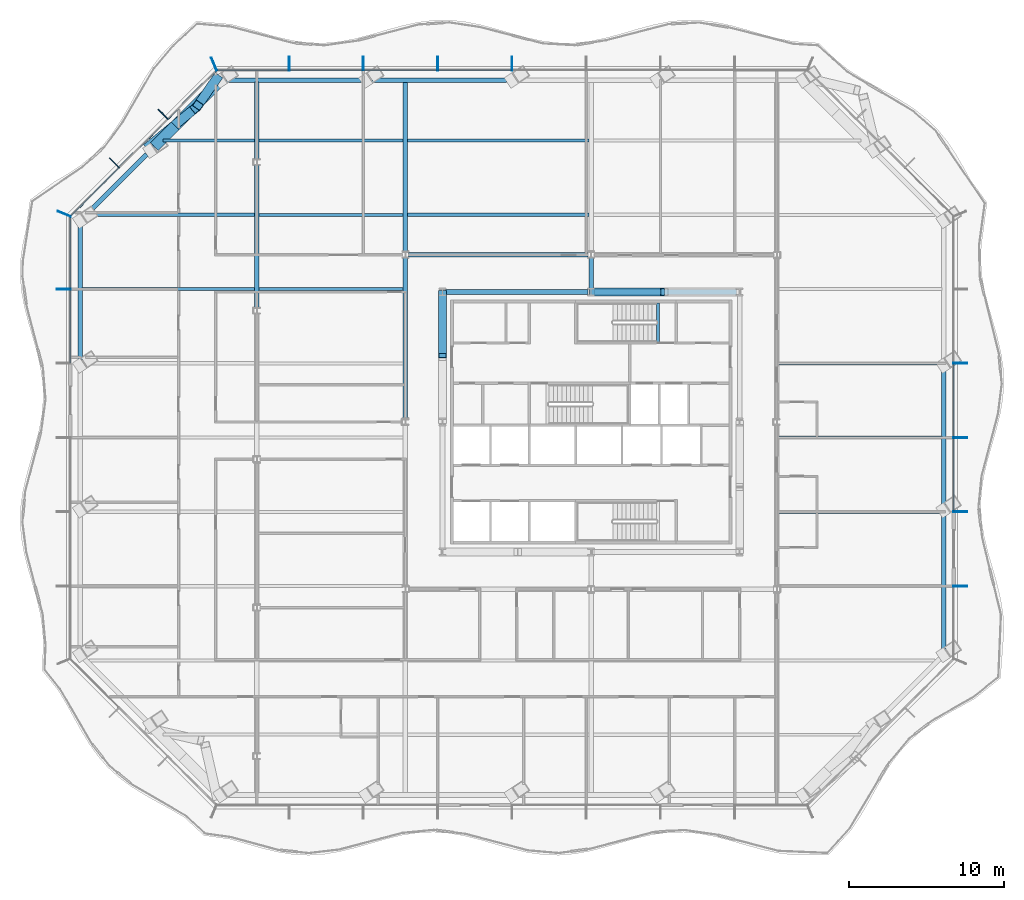
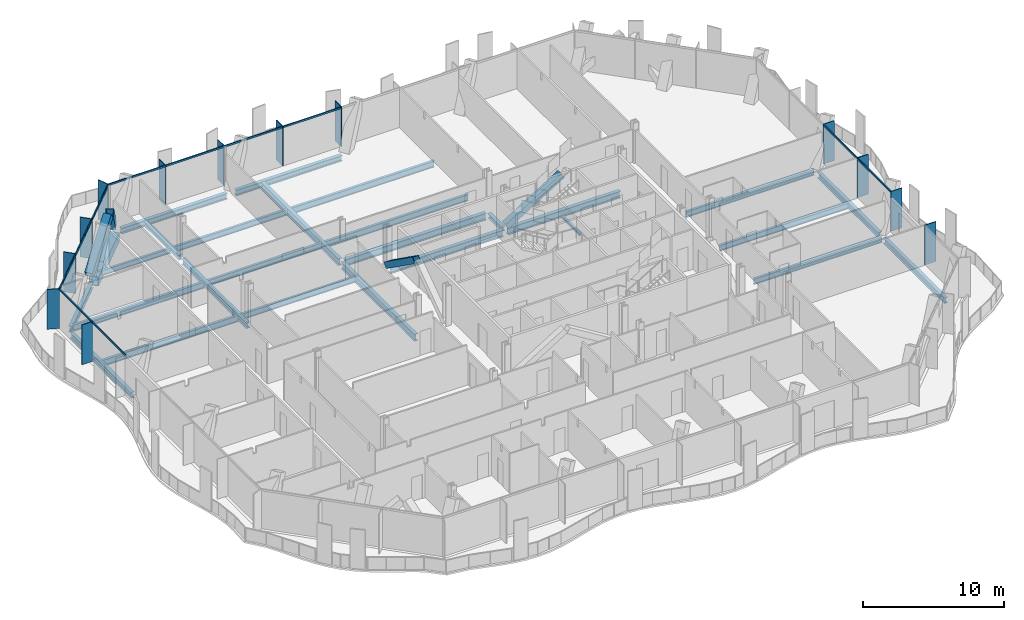
# One storey, part 3 of 19: 28 beams, 28 members, 4 elements without a shape of their own.
"""IFC4 building model written with IfcOpenShell, lengths in metres."""

from ifc_helpers import new_model, si_unit, direction, frame, origin, origin_2d, place, context, subcontext, project, spatial, rectangle, hollow_rectangle, i_section, extrude, material, material_profile, profile_set, type_object, element, aggregate, save


model = new_model("IFC4")

# Units and contexts
model_context = context("Model", 3, precision=1e-05, world=origin(), true_north=direction((0.0, 1.0)))
body_context = subcontext(model_context, "Body", "Model", "MODEL_VIEW")
ifc_project = project(units=[si_unit("LENGTHUNIT", "METRE"), si_unit("AREAUNIT", "SQUARE_METRE"), si_unit("VOLUMEUNIT", "CUBIC_METRE"), si_unit("PLANEANGLEUNIT", "RADIAN"), si_unit("MASSUNIT", "GRAM", prefix="KILO")], contexts=[model_context])

# Site, building, storey
site_placement = place(None, origin())
site = spatial("IfcSite", under=ifc_project, at=site_placement, CompositionType="ELEMENT")
building_placement = place(site_placement, origin())
building = spatial("IfcBuilding", under=site, at=building_placement, Name="Cairn Pilgrim Tower", CompositionType="ELEMENT")
storey_placement = place(building_placement, frame((0.0, 0.0, 97.800048828125)))
storey = spatial("IfcBuildingStorey", under=building, at=storey_placement, Name="L23", CompositionType="ELEMENT", Elevation=97.800048828125)

# Members
ifc_material_1 = material(Name="Structural steel S460M", Category="steel")
ifc_material_profile_1 = material_profile(ifc_material_1, hollow_rectangle(XDim=0.5, YDim=0.5, WallThickness=0.030029296875, at=origin_2d()), Name="BOX 500x500x30")
ifc_profile_set_1 = profile_set([ifc_material_profile_1], Name="Structural steel S460M")
member_type_1 = type_object("IfcMemberType", Name="BOX 500x500x30 BRACE", PredefinedType="BRACE", material=ifc_profile_set_1)
member_1_placement = place(storey_placement, frame((7.24365234375, 10.800048828125, 0.099853515625), z_axis=(0.851007515624, 0.0, 0.525153509321), x_axis=(0.0, 1.0, 0.0)))
element("IfcMember", 1, at=member_1_placement, inside=storey, type_object=member_type_1, Name="KB-3B", PredefinedType="BRACE", context=body_context, shape_type="SweptSolid", body=[
    extrude(hollow_rectangle(XDim=0.5, YDim=0.5, WallThickness=0.030029296875, at=origin_2d()), origin(), (0.0, 0.0, 1.0), 5.37646484375),
])
member_2_placement = place(storey_placement, frame((-2.39990234375, 10.75634765625, 0.099853515625), z_axis=(0.0, -0.814175628242, 0.580618675532), x_axis=(1.0, 0.0, 0.0)))
element("IfcMember", 2, at=member_2_placement, inside=storey, type_object=member_type_1, Name="KB-4A", PredefinedType="BRACE", context=body_context, shape_type="SweptSolid", body=[
    extrude(hollow_rectangle(XDim=0.5, YDim=0.5, WallThickness=0.030029296875, at=origin_2d()), origin(), (0.0, 0.0, 1.0), 4.99658203125),
])
ifc_material_profile_2 = material_profile(ifc_material_1, hollow_rectangle(XDim=0.60009765625, YDim=0.60009765625, WallThickness=0.034912109375, at=origin_2d()), Name="BOX 600x600x35")
ifc_profile_set_2 = profile_set([ifc_material_profile_2], Name="Structural steel S460M")
member_type_2 = type_object("IfcMemberType", Name="BOX 600x600x35 BRACE", PredefinedType="BRACE", material=ifc_profile_set_2)
member_3_placement = place(storey_placement, frame((-16.984130859375, 24.622314453125, 0.14990234375), z_axis=(-0.361757337028, -0.518148038838, 0.775018863612), x_axis=(0.819934799955, -0.572456918748, 0.0)))
element("IfcMember", 3, at=member_3_placement, inside=storey, type_object=member_type_2, Name="XB-NW1-NW2-1", PredefinedType="BRACE", context=body_context, shape_type="SweptSolid", body=[
    extrude(hollow_rectangle(XDim=0.60009765625, YDim=0.60009765625, WallThickness=0.034912109375, at=origin_2d()), origin(), (0.0, 0.0, 1.0), 3.3798828125),
])
member_4_placement = place(storey_placement, frame((-21.407470703125, 20.198974609375, 0.14990234375), z_axis=(0.638261396747, 0.524567475079, 0.563428215048), x_axis=(-0.634942729347, 0.772559208378, 0.0)))
element("IfcMember", 4, at=member_4_placement, inside=storey, type_object=member_type_2, Name="XB-NW1-NW2-2", PredefinedType="BRACE", context=body_context, shape_type="SweptSolid", body=[
    extrude(hollow_rectangle(XDim=0.60009765625, YDim=0.60009765625, WallThickness=0.034912109375, at=origin_2d()), origin(), (0.0, 0.0, 1.0), 4.64892578125),
])

# Beams
ifc_material_2 = material(Name="Structural steel S355J2", Category="steel")
ifc_material_profile_3 = material_profile(ifc_material_2, hollow_rectangle(XDim=0.699951171875, YDim=0.800048828125, WallThickness=0.0400390625, at=origin_2d()), Name="BOX 700x800x40")
ifc_profile_set_3 = profile_set([ifc_material_profile_3], Name="Structural steel S355J2")
beam_type_1 = type_object("IfcBeamType", Name="BOX 700x800x40 RING GIRDER", PredefinedType="SPANDREL", material=ifc_profile_set_3)
beam_1_placement = place(storey_placement, frame((-16.99462890625, 24.23681640625, -0.550048828125), z_axis=(-0.707106781187, -0.707106781187, 0.0), x_axis=(0.707106781187, -0.707106781187, 0.0)))
element("IfcBeam", 5, at=beam_1_placement, inside=storey, type_object=beam_type_1, Name="RG1-NW1-NW2-1", PredefinedType="SPANDREL", context=body_context, shape_type="SweptSolid", body=[
    extrude(hollow_rectangle(XDim=0.699951171875, YDim=0.800048828125, WallThickness=0.0400390625, at=origin_2d()), origin(), (0.0, 0.0, 1.0), 3.81005859375),
])
beam_2_placement = place(storey_placement, frame((-19.688720703125, 21.542724609375, -0.550048828125), z_axis=(-0.707106781187, -0.707106781187, 0.0), x_axis=(0.707106781187, -0.707106781187, 0.0)))
element("IfcBeam", 6, at=beam_2_placement, inside=storey, type_object=beam_type_1, Name="RG1-NW1-NW2-2", PredefinedType="SPANDREL", context=body_context, shape_type="SweptSolid", body=[
    extrude(hollow_rectangle(XDim=0.699951171875, YDim=0.800048828125, WallThickness=0.0400390625, at=origin_2d()), origin(), (0.0, 0.0, 1.0), 1.885498046875),
])

# Curtain wall, members
ifc_material_3 = material(Name="Aluminium alloy 6063-T6 bronze anodised with Bronze tinted laminated low-E glass 8+16+8.8", Category="aluminium")
curtain_wall_type_1 = type_object("IfcCurtainWallType", Name="TOWER STICK CURTAIN WALL EW", PredefinedType="NOTDEFINED", material=ifc_material_3)
curtain_wall_1_placement = place(storey_placement, origin())
curtain_wall_1 = element("IfcCurtainWall", 7, at=curtain_wall_1_placement, inside=storey, type_object=curtain_wall_type_1, Name="Tower Stick Curtain Wall Ew E", PredefinedType="NOTDEFINED")
ifc_material_4 = material(Name="Aluminium alloy 6063-T6 bronze anodised", Category="aluminium")
ifc_material_profile_4 = material_profile(ifc_material_4, rectangle(XDim=0.89990234375, YDim=0.06005859375, at=origin_2d()), Name="FIN MULLION 60x900 BRONZE")
ifc_profile_set_4 = profile_set([ifc_material_profile_4], Name="Aluminium alloy 6063-T6 bronze anodised")
member_type_3 = type_object("IfcMemberType", Name="FIN MULLION 60x900 BRONZE", PredefinedType="MULLION", material=ifc_profile_set_4)
member_5_placement = place(storey_placement, frame((31.05712890625, -8.208740234375, 0.0), z_axis=(0.0, 0.0, 1.0), x_axis=(1.0, 0.0, 0.0)))
member_5 = element("IfcMember", 8, at=member_5_placement, type_object=member_type_3, Name="Fin mullion E2", PredefinedType="MULLION", context=body_context, shape_type="SweptSolid", body=[
    extrude(rectangle(XDim=0.89990234375, YDim=0.06005859375, at=origin_2d()), origin(), (0.0, 0.0, 1.0), 3.449951171875),
])
member_6_placement = place(storey_placement, frame((31.05712890625, -3.40869140625, 0.0), z_axis=(0.0, 0.0, 1.0), x_axis=(1.0, 0.0, 0.0)))
member_6 = element("IfcMember", 9, at=member_6_placement, type_object=member_type_3, Name="Fin mullion E3", PredefinedType="MULLION", context=body_context, shape_type="SweptSolid", body=[
    extrude(rectangle(XDim=0.89990234375, YDim=0.06005859375, at=origin_2d()), origin(), (0.0, 0.0, 1.0), 3.449951171875),
])
member_7_placement = place(storey_placement, frame((31.05712890625, 1.391357421875, 0.0), z_axis=(0.0, 0.0, 1.0), x_axis=(1.0, 0.0, 0.0)))
member_7 = element("IfcMember", 10, at=member_7_placement, type_object=member_type_3, Name="Fin mullion E4", PredefinedType="MULLION", context=body_context, shape_type="SweptSolid", body=[
    extrude(rectangle(XDim=0.89990234375, YDim=0.06005859375, at=origin_2d()), origin(), (0.0, 0.0, 1.0), 3.449951171875),
])
member_8_placement = place(storey_placement, frame((31.05712890625, 6.19140625, 0.0), z_axis=(0.0, 0.0, 1.0), x_axis=(1.0, 0.0, 0.0)))
member_8 = element("IfcMember", 11, at=member_8_placement, type_object=member_type_3, Name="Fin mullion E5", PredefinedType="MULLION", context=body_context, shape_type="SweptSolid", body=[
    extrude(rectangle(XDim=0.89990234375, YDim=0.06005859375, at=origin_2d()), origin(), (0.0, 0.0, 1.0), 3.449951171875),
])

curtain_wall_type_2 = type_object("IfcCurtainWallType", Name="TOWER STICK CURTAIN WALL NS", PredefinedType="NOTDEFINED", material=ifc_material_3)
curtain_wall_2_placement = place(storey_placement, origin())
curtain_wall_2 = element("IfcCurtainWall", 12, at=curtain_wall_2_placement, inside=storey, type_object=curtain_wall_type_2, Name="Tower Stick Curtain Wall Ns N", PredefinedType="NOTDEFINED")
member_9_placement = place(storey_placement, frame((2.087158203125, 25.561279296875, 0.0), z_axis=(0.0, 0.0, 1.0), x_axis=(0.0, 1.0, 0.0)))
member_9 = element("IfcMember", 13, at=member_9_placement, type_object=member_type_3, Name="Fin mullion N5", PredefinedType="MULLION", context=body_context, shape_type="SweptSolid", body=[
    extrude(rectangle(XDim=0.89990234375, YDim=0.06005859375, at=origin_2d()), origin(), (0.0, 0.0, 1.0), 3.449951171875),
])
member_10_placement = place(storey_placement, frame((-2.712890625, 25.561279296875, 0.0), z_axis=(0.0, 0.0, 1.0), x_axis=(0.0, 1.0, 0.0)))
member_10 = element("IfcMember", 14, at=member_10_placement, type_object=member_type_3, Name="Fin mullion N6", PredefinedType="MULLION", context=body_context, shape_type="SweptSolid", body=[
    extrude(rectangle(XDim=0.89990234375, YDim=0.06005859375, at=origin_2d()), origin(), (0.0, 0.0, 1.0), 3.449951171875),
])
member_11_placement = place(storey_placement, frame((-7.512939453125, 25.561279296875, 0.0), z_axis=(0.0, 0.0, 1.0), x_axis=(0.0, 1.0, 0.0)))
member_11 = element("IfcMember", 15, at=member_11_placement, type_object=member_type_3, Name="Fin mullion N7", PredefinedType="MULLION", context=body_context, shape_type="SweptSolid", body=[
    extrude(rectangle(XDim=0.89990234375, YDim=0.06005859375, at=origin_2d()), origin(), (0.0, 0.0, 1.0), 3.449951171875),
])
member_12_placement = place(storey_placement, frame((-12.31298828125, 25.561279296875, 0.0), z_axis=(0.0, 0.0, 1.0), x_axis=(0.0, 1.0, 0.0)))
member_12 = element("IfcMember", 16, at=member_12_placement, type_object=member_type_3, Name="Fin mullion N8", PredefinedType="MULLION", context=body_context, shape_type="SweptSolid", body=[
    extrude(rectangle(XDim=0.89990234375, YDim=0.06005859375, at=origin_2d()), origin(), (0.0, 0.0, 1.0), 3.449951171875),
])

curtain_wall_type_3 = type_object("IfcCurtainWallType", Name="CHAMFER CORNER CURTAIN WALL", PredefinedType="NOTDEFINED", material=ifc_material_3)
curtain_wall_3_placement = place(storey_placement, origin())
curtain_wall_3 = element("IfcCurtainWall", 17, at=curtain_wall_3_placement, inside=storey, type_object=curtain_wall_type_3, Name="Chamfer Corner Curtain Wall NW", PredefinedType="NOTDEFINED")
member_13_placement = place(storey_placement, frame((-17.170166015625, 25.529296875, 0.0), z_axis=(0.0, 0.0, 1.0), x_axis=(-0.382683432365, 0.923879532511, 0.0)))
member_13 = element("IfcMember", 18, at=member_13_placement, type_object=member_type_3, Name="Fin mullion NW1", PredefinedType="MULLION", context=body_context, shape_type="SweptSolid", body=[
    extrude(rectangle(XDim=0.89990234375, YDim=0.06005859375, at=origin_2d()), origin(), (0.0, 0.0, 1.0), 3.449951171875),
])
member_14_placement = place(storey_placement, frame((-20.45751953125, 22.287109375, 0.0), z_axis=(0.0, 0.0, 1.0), x_axis=(-0.707106781187, 0.707106781187, 0.0)))
member_14 = element("IfcMember", 19, at=member_14_placement, type_object=member_type_3, Name="Fin mullion NW2", PredefinedType="MULLION", context=body_context, shape_type="SweptSolid", body=[
    extrude(rectangle(XDim=0.89990234375, YDim=0.06005859375, at=origin_2d()), origin(), (0.0, 0.0, 1.0), 3.449951171875),
])
member_15_placement = place(storey_placement, frame((-23.608642578125, 19.135986328125, 0.0), z_axis=(0.0, 0.0, 1.0), x_axis=(-0.707106781187, 0.707106781187, 0.0)))
member_15 = element("IfcMember", 20, at=member_15_placement, type_object=member_type_3, Name="Fin mullion NW3", PredefinedType="MULLION", context=body_context, shape_type="SweptSolid", body=[
    extrude(rectangle(XDim=0.89990234375, YDim=0.06005859375, at=origin_2d()), origin(), (0.0, 0.0, 1.0), 3.449951171875),
])

curtain_wall_4_placement = place(storey_placement, origin())
curtain_wall_4 = element("IfcCurtainWall", 21, at=curtain_wall_4_placement, inside=storey, type_object=curtain_wall_type_1, Name="Tower Stick Curtain Wall Ew W", PredefinedType="NOTDEFINED")
member_16_placement = place(storey_placement, frame((-26.85107421875, 15.8486328125, 0.0), z_axis=(0.0, 0.0, 1.0), x_axis=(-0.923879532511, 0.382683432365, 0.0)))
member_16 = element("IfcMember", 22, at=member_16_placement, type_object=member_type_3, Name="Fin mullion W1", PredefinedType="MULLION", context=body_context, shape_type="SweptSolid", body=[
    extrude(rectangle(XDim=0.89990234375, YDim=0.06005859375, at=origin_2d()), origin(), (0.0, 0.0, 1.0), 3.449951171875),
])
member_17_placement = place(storey_placement, frame((-26.8828125, 10.991455078125, 0.0), z_axis=(0.0, 0.0, 1.0), x_axis=(-1.0, 0.0, 0.0)))
member_17 = element("IfcMember", 23, at=member_17_placement, type_object=member_type_3, Name="Fin mullion W2", PredefinedType="MULLION", context=body_context, shape_type="SweptSolid", body=[
    extrude(rectangle(XDim=0.89990234375, YDim=0.06005859375, at=origin_2d()), origin(), (0.0, 0.0, 1.0), 3.449951171875),
])

# Beams
ifc_material_profile_5 = material_profile(ifc_material_2, i_section(OverallWidth=0.300048828125, OverallDepth=0.39990234375, WebThickness=0.013427734375, FlangeThickness=0.02392578125, FilletRadius=0.027099609375, at=origin_2d()), Name="HEB 400")
ifc_profile_set_5 = profile_set([ifc_material_profile_5], Name="Structural steel S355J2")
beam_type_2 = type_object("IfcBeamType", Name="HEB 400 GIRDER", PredefinedType="BEAM", material=ifc_profile_set_5)
beam_3_placement = place(storey_placement, frame((-14.39990234375, 19.404541015625, -0.35009765625), z_axis=(0.0, 1.0, 0.0), x_axis=(-1.0, 0.0, 0.0)))
element("IfcBeam", 24, at=beam_3_placement, inside=storey, type_object=beam_type_2, Name="PG1-5", PredefinedType="BEAM", context=body_context, shape_type="SweptSolid", body=[
    extrude(i_section(OverallWidth=0.300048828125, OverallDepth=0.39990234375, WebThickness=0.013427734375, FlangeThickness=0.02392578125, FilletRadius=0.027099609375, at=origin_2d()), origin(), (0.0, 0.0, 1.0), 4.966796875),
])
beam_4_placement = place(storey_placement, frame((7.199951171875, 11.0185546875, -0.35009765625), z_axis=(0.0, 1.0, 0.0), x_axis=(-1.0, 0.0, 0.0)))
element("IfcBeam", 25, at=beam_4_placement, inside=storey, type_object=beam_type_2, Name="PG3-E2", PredefinedType="BEAM", context=body_context, shape_type="SweptSolid", body=[
    extrude(i_section(OverallWidth=0.300048828125, OverallDepth=0.39990234375, WebThickness=0.013427734375, FlangeThickness=0.02392578125, FilletRadius=0.027099609375, at=origin_2d()), origin(), (0.0, 0.0, 1.0), 1.97705078125),
])
ifc_material_profile_6 = material_profile(ifc_material_2, i_section(OverallWidth=0.300048828125, OverallDepth=0.5, WebThickness=0.014404296875, FlangeThickness=0.028076171875, FilletRadius=0.027099609375, at=origin_2d()), Name="HEB 500")
ifc_profile_set_6 = profile_set([ifc_material_profile_6], Name="Structural steel S355J2")
beam_type_3 = type_object("IfcBeamType", Name="HEB 500 GIRDER", PredefinedType="BEAM", material=ifc_profile_set_6)
beam_5_placement = place(storey_placement, frame((-14.39990234375, 9.804443359375, -0.400146484375), z_axis=(0.0, 1.0, 0.0), x_axis=(-1.0, 0.0, 0.0)))
element("IfcBeam", 26, at=beam_5_placement, inside=storey, type_object=beam_type_3, Name="PG1-4", PredefinedType="BEAM", context=body_context, shape_type="SweptSolid", body=[
    extrude(i_section(OverallWidth=0.300048828125, OverallDepth=0.5, WebThickness=0.014404296875, FlangeThickness=0.028076171875, FilletRadius=0.027099609375, at=origin_2d()), origin(), (0.0, 0.0, 1.0), 9.191162109375),
])
ifc_material_profile_7 = material_profile(ifc_material_2, i_section(OverallWidth=0.300048828125, OverallDepth=0.5, WebThickness=0.014404296875, FlangeThickness=0.028076171875, FilletRadius=0.027099609375, at=origin_2d()), Name="HEB 500")
ifc_profile_set_7 = profile_set([ifc_material_profile_7], Name="Structural steel S355J2")
beam_type_4 = type_object("IfcBeamType", Name="HEB 500 RING GIRDER", PredefinedType="SPANDREL", material=ifc_profile_set_7)
beam_6_placement = place(storey_placement, frame((29.987060546875, -12.27587890625, -0.400146484375), z_axis=(0.0, 1.0, 0.0), x_axis=(-1.0, 0.0, 0.0)))
element("IfcBeam", 27, at=beam_6_placement, inside=storey, type_object=beam_type_4, Name="RG1-E1-E2", PredefinedType="SPANDREL", context=body_context, shape_type="SweptSolid", body=[
    extrude(i_section(OverallWidth=0.300048828125, OverallDepth=0.5, WebThickness=0.014404296875, FlangeThickness=0.028076171875, FilletRadius=0.027099609375, at=origin_2d()), origin(), (0.0, 0.0, 1.0), 8.631591796875),
])
beam_7_placement = place(storey_placement, frame((29.987060546875, -2.92431640625, -0.400146484375), z_axis=(0.0, 1.0, 0.0), x_axis=(-1.0, 0.0, 0.0)))
element("IfcBeam", 28, at=beam_7_placement, inside=storey, type_object=beam_type_4, Name="RG1-E2-E3", PredefinedType="SPANDREL", context=body_context, shape_type="SweptSolid", body=[
    extrude(i_section(OverallWidth=0.300048828125, OverallDepth=0.5, WebThickness=0.014404296875, FlangeThickness=0.028076171875, FilletRadius=0.027099609375, at=origin_2d()), origin(), (0.0, 0.0, 1.0), 8.63134765625),
])
for number, where, z_axis, x_axis, name in (
    (29, (1.72705078125, 24.491455078125, -0.400146484375), (-1.0, 0.0, 0.0), (0.0, -1.0, 0.0), "RG1-N3-N4"),
    (30, (-7.6865234375, 24.491455078125, -0.400146484375), (-1.0, 0.0, 0.0), (0.0, -1.0, 0.0), "RG1-N4-NW1"),
):
    element("IfcBeam", number, at=place(storey_placement, frame(where, z_axis=z_axis, x_axis=x_axis)), inside=storey, type_object=beam_type_4, Name=name, PredefinedType="SPANDREL", context=body_context, shape_type="SweptSolid", body=[
        extrude(i_section(OverallWidth=0.300048828125, OverallDepth=0.5, WebThickness=0.014404296875, FlangeThickness=0.028076171875, FilletRadius=0.027099609375, at=origin_2d()), origin(), (0.0, 0.0, 1.0), 8.693603515625),
    ])
beam_8_placement = place(storey_placement, frame((-21.531005859375, 19.700439453125, -0.400146484375), z_axis=(-0.707106781187, -0.707106781187, 0.0), x_axis=(0.707106781187, -0.707106781187, 0.0)))
element("IfcBeam", 31, at=beam_8_placement, inside=storey, type_object=beam_type_4, Name="RG1-NW2-W1", PredefinedType="SPANDREL", context=body_context, shape_type="SweptSolid", body=[
    extrude(i_section(OverallWidth=0.300048828125, OverallDepth=0.5, WebThickness=0.014404296875, FlangeThickness=0.028076171875, FilletRadius=0.027099609375, at=origin_2d()), origin(), (0.0, 0.0, 1.0), 5.695556640625),
])
beam_9_placement = place(storey_placement, frame((-25.81298828125, 15.05859375, -0.400146484375), z_axis=(0.0, -1.0, 0.0), x_axis=(1.0, 0.0, 0.0)))
element("IfcBeam", 32, at=beam_9_placement, inside=storey, type_object=beam_type_4, Name="RG1-W1-W2", PredefinedType="SPANDREL", context=body_context, shape_type="SweptSolid", body=[
    extrude(i_section(OverallWidth=0.300048828125, OverallDepth=0.5, WebThickness=0.014404296875, FlangeThickness=0.028076171875, FilletRadius=0.027099609375, at=origin_2d()), origin(), (0.0, 0.0, 1.0), 8.631591796875),
])
ifc_material_profile_8 = material_profile(ifc_material_2, i_section(OverallWidth=0.300048828125, OverallDepth=0.60009765625, WebThickness=0.015380859375, FlangeThickness=0.030029296875, FilletRadius=0.027099609375, at=origin_2d()), Name="HEB 600")
ifc_profile_set_8 = profile_set([ifc_material_profile_8], Name="Structural steel S355J2")
beam_type_5 = type_object("IfcBeamType", Name="HEB 600 CORE BEAM", PredefinedType="BEAM", material=ifc_profile_set_8)
beam_10_placement = place(storey_placement, frame((16.603271484375, 10.800048828125, -0.449951171875), z_axis=(-1.0, 0.0, 0.0), x_axis=(0.0, -1.0, 0.0)))
element("IfcBeam", 33, at=beam_10_placement, inside=storey, type_object=beam_type_5, Name="CB-5", PredefinedType="BEAM", context=body_context, shape_type="SweptSolid", body=[
    extrude(i_section(OverallWidth=0.300048828125, OverallDepth=0.60009765625, WebThickness=0.015380859375, FlangeThickness=0.030029296875, FilletRadius=0.027099609375, at=origin_2d()), origin(), (0.0, 0.0, 1.0), 9.20654296875),
])
beam_11_placement = place(storey_placement, frame((7.00341796875, 10.800048828125, -0.449951171875), z_axis=(-1.0, 0.0, 0.0), x_axis=(0.0, -1.0, 0.0)))
element("IfcBeam", 34, at=beam_11_placement, inside=storey, type_object=beam_type_5, Name="CB-6", PredefinedType="BEAM", context=body_context, shape_type="SweptSolid", body=[
    extrude(i_section(OverallWidth=0.300048828125, OverallDepth=0.60009765625, WebThickness=0.015380859375, FlangeThickness=0.030029296875, FilletRadius=0.027099609375, at=origin_2d()), origin(), (0.0, 0.0, 1.0), 9.206787109375),
])
ifc_material_profile_9 = material_profile(ifc_material_2, i_section(OverallWidth=0.300048828125, OverallDepth=0.60009765625, WebThickness=0.015380859375, FlangeThickness=0.030029296875, FilletRadius=0.027099609375, at=origin_2d()), Name="HEB 600")
ifc_profile_set_9 = profile_set([ifc_material_profile_9], Name="Structural steel S355J2")
beam_type_6 = type_object("IfcBeamType", Name="HEB 600 GIRDER", PredefinedType="BEAM", material=ifc_profile_set_9)
beam_12_placement = place(storey_placement, frame((-4.800048828125, 2.6044921875, -0.449951171875), z_axis=(0.0, 1.0, 0.0), x_axis=(-1.0, 0.0, 0.0)))
element("IfcBeam", 35, at=beam_12_placement, inside=storey, type_object=beam_type_6, Name="PG2-3", PredefinedType="BEAM", context=body_context, shape_type="SweptSolid", body=[
    extrude(i_section(OverallWidth=0.300048828125, OverallDepth=0.60009765625, WebThickness=0.015380859375, FlangeThickness=0.030029296875, FilletRadius=0.027099609375, at=origin_2d()), origin(), (0.0, 0.0, 1.0), 10.39111328125),
])
beam_13_placement = place(storey_placement, frame((-4.800048828125, 13.404541015625, -0.449951171875), z_axis=(0.0, 1.0, 0.0), x_axis=(-1.0, 0.0, 0.0)))
element("IfcBeam", 36, at=beam_13_placement, inside=storey, type_object=beam_type_6, Name="PG2-4", PredefinedType="BEAM", context=body_context, shape_type="SweptSolid", body=[
    extrude(i_section(OverallWidth=0.300048828125, OverallDepth=0.60009765625, WebThickness=0.015380859375, FlangeThickness=0.030029296875, FilletRadius=0.027099609375, at=origin_2d()), origin(), (0.0, 0.0, 1.0), 10.966796875),
])
ifc_material_profile_10 = material_profile(ifc_material_2, i_section(OverallWidth=0.300048828125, OverallDepth=0.60009765625, WebThickness=0.015380859375, FlangeThickness=0.030029296875, FilletRadius=0.027099609375, at=origin_2d()), Name="HEB 600")
ifc_profile_set_10 = profile_set([ifc_material_profile_10], Name="Structural steel S355J2")
beam_type_7 = type_object("IfcBeamType", Name="HEB 600 INNER GIRDER", PredefinedType="BEAM", material=ifc_profile_set_10)
beam_14_placement = place(storey_placement, frame((-4.595458984375, 13.199951171875, -0.449951171875), z_axis=(1.0, 0.0, 0.0), x_axis=(0.0, 1.0, 0.0)))
element("IfcBeam", 37, at=beam_14_placement, inside=storey, type_object=beam_type_7, Name="IG2-1", PredefinedType="BEAM", context=body_context, shape_type="SweptSolid", body=[
    extrude(i_section(OverallWidth=0.300048828125, OverallDepth=0.60009765625, WebThickness=0.015380859375, FlangeThickness=0.030029296875, FilletRadius=0.027099609375, at=origin_2d()), origin(), (0.0, 0.0, 1.0), 11.591064453125),
])
ifc_material_profile_11 = material_profile(ifc_material_2, i_section(OverallWidth=0.18994140625, OverallDepth=0.449951171875, WebThickness=0.009521484375, FlangeThickness=0.0146484375, FilletRadius=0.02099609375, at=origin_2d()), Name="IPE 450")
ifc_profile_set_11 = profile_set([ifc_material_profile_11], Name="Structural steel S355J2")
beam_type_8 = type_object("IfcBeamType", Name="IPE 450 SECONDARY BEAM", PredefinedType="JOIST", material=ifc_profile_set_11)
beam_15_placement = place(storey_placement, frame((-20.4580078125, 20.59130859375, -0.375), z_axis=(1.0, 0.0, 0.0), x_axis=(0.0, 1.0, 0.0)))
element("IfcBeam", 38, at=beam_15_placement, inside=storey, type_object=beam_type_8, Name="SB9-1", PredefinedType="JOIST", context=body_context, shape_type="SweptSolid", body=[
    extrude(i_section(OverallWidth=0.18994140625, OverallDepth=0.449951171875, WebThickness=0.009521484375, FlangeThickness=0.0146484375, FilletRadius=0.02099609375, at=origin_2d()), origin(), (0.0, 0.0, 1.0), 5.907958984375),
])
ifc_material_profile_12 = material_profile(ifc_material_2, i_section(OverallWidth=0.199951171875, OverallDepth=0.5, WebThickness=0.01025390625, FlangeThickness=0.01611328125, FilletRadius=0.02099609375, at=origin_2d()), Name="IPE 500")
ifc_profile_set_12 = profile_set([ifc_material_profile_12], Name="Structural steel S355J2")
beam_type_9 = type_object("IfcBeamType", Name="IPE 500 SECONDARY BEAM", PredefinedType="JOIST", material=ifc_profile_set_12)
for number, where, z_axis, x_axis, name in (
    (39, (19.35009765625, -3.40869140625, -0.400146484375), (1.0, 0.0, 0.0), (0.0, 1.0, 0.0), "SB4-3"),
    (40, (19.35009765625, 1.391357421875, -0.400146484375), (1.0, 0.0, 0.0), (0.0, 1.0, 0.0), "SB5-3"),
    (41, (19.35009765625, 6.19140625, -0.400146484375), (1.0, 0.0, 0.0), (0.0, 1.0, 0.0), "SB6-3"),
):
    element("IfcBeam", number, at=place(storey_placement, frame(where, z_axis=z_axis, x_axis=x_axis)), inside=storey, type_object=beam_type_9, Name=name, PredefinedType="JOIST", context=body_context, shape_type="SweptSolid", body=[
        extrude(i_section(OverallWidth=0.199951171875, OverallDepth=0.5, WebThickness=0.01025390625, FlangeThickness=0.01611328125, FilletRadius=0.02099609375, at=origin_2d()), origin(), (0.0, 0.0, 1.0), 10.51708984375),
    ])
for number, where, z_axis, x_axis, name in (
    (42, (-14.25, 10.991455078125, -0.400146484375), (1.0, 0.0, 0.0), (0.0, 1.0, 0.0), "SB7-2"),
    (43, (-14.25, 15.79150390625, -0.400146484375), (1.0, 0.0, 0.0), (0.0, 1.0, 0.0), "SB8-2"),
    (44, (-14.25, 20.59130859375, -0.400146484375), (1.0, 0.0, 0.0), (0.0, 1.0, 0.0), "SB9-2"),
):
    element("IfcBeam", number, at=place(storey_placement, frame(where, z_axis=z_axis, x_axis=x_axis)), inside=storey, type_object=beam_type_9, Name=name, PredefinedType="JOIST", context=body_context, shape_type="SweptSolid", body=[
        extrude(i_section(OverallWidth=0.199951171875, OverallDepth=0.5, WebThickness=0.01025390625, FlangeThickness=0.01611328125, FilletRadius=0.02099609375, at=origin_2d()), origin(), (0.0, 0.0, 1.0), 9.300048828125),
    ])
ifc_material_profile_13 = material_profile(ifc_material_2, i_section(OverallWidth=0.2099609375, OverallDepth=0.550048828125, WebThickness=0.010986328125, FlangeThickness=0.01708984375, FilletRadius=0.02392578125, at=origin_2d()), Name="IPE 550")
ifc_profile_set_13 = profile_set([ifc_material_profile_13], Name="Structural steel S355J2")
beam_type_10 = type_object("IfcBeamType", Name="IPE 550 SECONDARY BEAM", PredefinedType="JOIST", material=ifc_profile_set_13)
beam_16_placement = place(storey_placement, frame((-25.69287109375, 10.991455078125, -0.425048828125), z_axis=(1.0, 0.0, 0.0), x_axis=(0.0, 1.0, 0.0)))
element("IfcBeam", 45, at=beam_16_placement, inside=storey, type_object=beam_type_10, Name="SB7-1", PredefinedType="JOIST", context=body_context, shape_type="SweptSolid", body=[
    extrude(i_section(OverallWidth=0.2099609375, OverallDepth=0.550048828125, WebThickness=0.010986328125, FlangeThickness=0.01708984375, FilletRadius=0.02392578125, at=origin_2d()), origin(), (0.0, 0.0, 1.0), 11.142822265625),
])
beam_17_placement = place(storey_placement, frame((-25.258056640625, 15.79150390625, -0.425048828125), z_axis=(1.0, 0.0, 0.0), x_axis=(0.0, 1.0, 0.0)))
element("IfcBeam", 46, at=beam_17_placement, inside=storey, type_object=beam_type_10, Name="SB8-1", PredefinedType="JOIST", context=body_context, shape_type="SweptSolid", body=[
    extrude(i_section(OverallWidth=0.2099609375, OverallDepth=0.550048828125, WebThickness=0.010986328125, FlangeThickness=0.01708984375, FilletRadius=0.02392578125, at=origin_2d()), origin(), (0.0, 0.0, 1.0), 10.7080078125),
])
for number, where, z_axis, x_axis, name in (
    (47, (-4.64990234375, 15.79150390625, -0.425048828125), (1.0, 0.0, 0.0), (0.0, 1.0, 0.0), "SB8-3"),
    (48, (-4.64990234375, 20.59130859375, -0.425048828125), (1.0, 0.0, 0.0), (0.0, 1.0, 0.0), "SB9-3"),
):
    element("IfcBeam", number, at=place(storey_placement, frame(where, z_axis=z_axis, x_axis=x_axis)), inside=storey, type_object=beam_type_10, Name=name, PredefinedType="JOIST", context=body_context, shape_type="SweptSolid", body=[
        extrude(i_section(OverallWidth=0.2099609375, OverallDepth=0.550048828125, WebThickness=0.010986328125, FlangeThickness=0.01708984375, FilletRadius=0.02392578125, at=origin_2d()), origin(), (0.0, 0.0, 1.0), 11.699951171875),
    ])
ifc_material_profile_14 = material_profile(ifc_material_2, i_section(OverallWidth=0.199951171875, OverallDepth=0.199951171875, WebThickness=0.009033203125, FlangeThickness=0.014892578125, FilletRadius=0.01806640625, at=origin_2d()), Name="HE 200 B")
ifc_profile_set_14 = profile_set([ifc_material_profile_14], Name="Structural steel S355J2")
beam_type_11 = type_object("IfcBeamType", Name="STAIR LANDING BEAM HE 200 B", PredefinedType="BEAM", material=ifc_profile_set_14)
beam_18_placement = place(storey_placement, frame((11.5244140625, 10.10009765625, -0.25), z_axis=(0.0, -1.0, 0.0), x_axis=(1.0, 0.0, 0.0)))
element("IfcBeam", 49, at=beam_18_placement, inside=storey, type_object=beam_type_11, Name="STAIR LANDING BEAM LD-HE200B", PredefinedType="BEAM", context=body_context, shape_type="SweptSolid", body=[
    extrude(i_section(OverallWidth=0.199951171875, OverallDepth=0.199951171875, WebThickness=0.009033203125, FlangeThickness=0.014892578125, FilletRadius=0.01806640625, at=origin_2d()), origin(), (0.0, 0.0, 1.0), 2.525146484375),
])

# Member
ifc_material_profile_15 = material_profile(ifc_material_4, rectangle(XDim=0.080078125, YDim=0.14990234375, at=origin_2d()), Name="TRANSOM 80x150 BRONZE")
ifc_profile_set_15 = profile_set([ifc_material_profile_15], Name="Aluminium alloy 6063-T6 bronze anodised")
member_type_4 = type_object("IfcMemberType", Name="TRANSOM 80x150 BRONZE", PredefinedType="USERDEFINED", material=ifc_profile_set_15)
member_18_placement = place(storey_placement, frame((30.636962890625, -3.378662109375, 3.375), z_axis=(0.0, 1.0, 0.0), x_axis=(-1.0, 0.0, 0.0)))
member_18 = element("IfcMember", 50, at=member_18_placement, type_object=member_type_4, Name="Transom E3", ObjectType="TRANSOM", PredefinedType="USERDEFINED", context=body_context, shape_type="SweptSolid", body=[
    extrude(rectangle(XDim=0.080078125, YDim=0.14990234375, at=origin_2d()), origin(), (0.0, 0.0, 1.0), 4.739990234375),
])

member_19_placement = place(storey_placement, frame((30.636962890625, 1.42138671875, 3.375), z_axis=(0.0, 1.0, 0.0), x_axis=(-1.0, 0.0, 0.0)))
member_19 = element("IfcMember", 51, at=member_19_placement, type_object=member_type_4, Name="Transom E4", ObjectType="TRANSOM", PredefinedType="USERDEFINED", context=body_context, shape_type="SweptSolid", body=[
    extrude(rectangle(XDim=0.080078125, YDim=0.14990234375, at=origin_2d()), origin(), (0.0, 0.0, 1.0), 4.739990234375),
])

aggregate(curtain_wall_1, [member_5, member_6, member_7, member_8, member_18, member_19])

member_20_placement = place(storey_placement, frame((2.05712890625, 25.141357421875, 3.375), z_axis=(-1.0, 0.0, 0.0), x_axis=(0.0, -1.0, 0.0)))
member_20 = element("IfcMember", 52, at=member_20_placement, type_object=member_type_4, Name="Transom N5", ObjectType="TRANSOM", PredefinedType="USERDEFINED", context=body_context, shape_type="SweptSolid", body=[
    extrude(rectangle(XDim=0.080078125, YDim=0.14990234375, at=origin_2d()), origin(), (0.0, 0.0, 1.0), 4.739990234375),
])

member_21_placement = place(storey_placement, frame((-2.742919921875, 25.141357421875, 3.375), z_axis=(-1.0, 0.0, 0.0), x_axis=(0.0, -1.0, 0.0)))
member_21 = element("IfcMember", 53, at=member_21_placement, type_object=member_type_4, Name="Transom N6", ObjectType="TRANSOM", PredefinedType="USERDEFINED", context=body_context, shape_type="SweptSolid", body=[
    extrude(rectangle(XDim=0.080078125, YDim=0.14990234375, at=origin_2d()), origin(), (0.0, 0.0, 1.0), 4.739990234375),
])

member_22_placement = place(storey_placement, frame((-7.54296875, 25.141357421875, 3.375), z_axis=(-1.0, 0.0, 0.0), x_axis=(0.0, -1.0, 0.0)))
member_22 = element("IfcMember", 54, at=member_22_placement, type_object=member_type_4, Name="Transom N7", ObjectType="TRANSOM", PredefinedType="USERDEFINED", context=body_context, shape_type="SweptSolid", body=[
    extrude(rectangle(XDim=0.080078125, YDim=0.14990234375, at=origin_2d()), origin(), (0.0, 0.0, 1.0), 4.739990234375),
])

member_23_placement = place(storey_placement, frame((-12.343017578125, 25.141357421875, 3.375), z_axis=(-1.0, 0.0, 0.0), x_axis=(0.0, -1.0, 0.0)))
member_23 = element("IfcMember", 55, at=member_23_placement, type_object=member_type_4, Name="Transom N8", ObjectType="TRANSOM", PredefinedType="USERDEFINED", context=body_context, shape_type="SweptSolid", body=[
    extrude(rectangle(XDim=0.080078125, YDim=0.14990234375, at=origin_2d()), origin(), (0.0, 0.0, 1.0), 4.62646484375),
])

aggregate(curtain_wall_2, [member_9, member_10, member_11, member_12, member_20, member_21, member_22, member_23])

member_24_placement = place(storey_placement, frame((-17.03759765625, 25.113037109375, 3.375), z_axis=(-0.707134609628, -0.70707895165, 0.0), x_axis=(0.70707895165, -0.707134609628, 0.0)))
member_24 = element("IfcMember", 56, at=member_24_placement, type_object=member_type_4, Name="Transom NW1", ObjectType="TRANSOM", PredefinedType="USERDEFINED", context=body_context, shape_type="SweptSolid", body=[
    extrude(rectangle(XDim=0.080078125, YDim=0.14990234375, at=origin_2d()), origin(), (0.0, 0.0, 1.0), 4.386474609375),
])

member_25_placement = place(storey_placement, frame((-20.181884765625, 21.968994140625, 3.375), z_axis=(-0.707079015032, -0.707134546251, 0.0), x_axis=(0.707134546251, -0.707079015032, 0.0)))
member_25 = element("IfcMember", 57, at=member_25_placement, type_object=member_type_4, Name="Transom NW2", ObjectType="TRANSOM", PredefinedType="USERDEFINED", context=body_context, shape_type="SweptSolid", body=[
    extrude(rectangle(XDim=0.080078125, YDim=0.14990234375, at=origin_2d()), origin(), (0.0, 0.0, 1.0), 4.396484375),
])

member_26_placement = place(storey_placement, frame((-23.3330078125, 18.81787109375, 3.375), z_axis=(-0.70707895165, -0.707134609628, 0.0), x_axis=(0.707134609628, -0.70707895165, 0.0)))
member_26 = element("IfcMember", 58, at=member_26_placement, type_object=member_type_4, Name="Transom NW3", ObjectType="TRANSOM", PredefinedType="USERDEFINED", context=body_context, shape_type="SweptSolid", body=[
    extrude(rectangle(XDim=0.080078125, YDim=0.14990234375, at=origin_2d()), origin(), (0.0, 0.0, 1.0), 4.386474609375),
])

aggregate(curtain_wall_3, [member_13, member_14, member_15, member_24, member_25, member_26])

member_27_placement = place(storey_placement, frame((-26.462890625, 15.647705078125, 3.375), z_axis=(0.0, -1.0, 0.0), x_axis=(1.0, 0.0, 0.0)))
member_27 = element("IfcMember", 59, at=member_27_placement, type_object=member_type_4, Name="Transom W1", ObjectType="TRANSOM", PredefinedType="USERDEFINED", context=body_context, shape_type="SweptSolid", body=[
    extrude(rectangle(XDim=0.080078125, YDim=0.14990234375, at=origin_2d()), origin(), (0.0, 0.0, 1.0), 4.626220703125),
])

member_28_placement = place(storey_placement, frame((-26.462890625, 10.96142578125, 3.375), z_axis=(0.0, -1.0, 0.0), x_axis=(1.0, 0.0, 0.0)))
member_28 = element("IfcMember", 60, at=member_28_placement, type_object=member_type_4, Name="Transom W2", ObjectType="TRANSOM", PredefinedType="USERDEFINED", context=body_context, shape_type="SweptSolid", body=[
    extrude(rectangle(XDim=0.080078125, YDim=0.14990234375, at=origin_2d()), origin(), (0.0, 0.0, 1.0), 4.739990234375),
])

aggregate(curtain_wall_4, [member_16, member_17, member_27, member_28])

save(model, "model.ifc")
